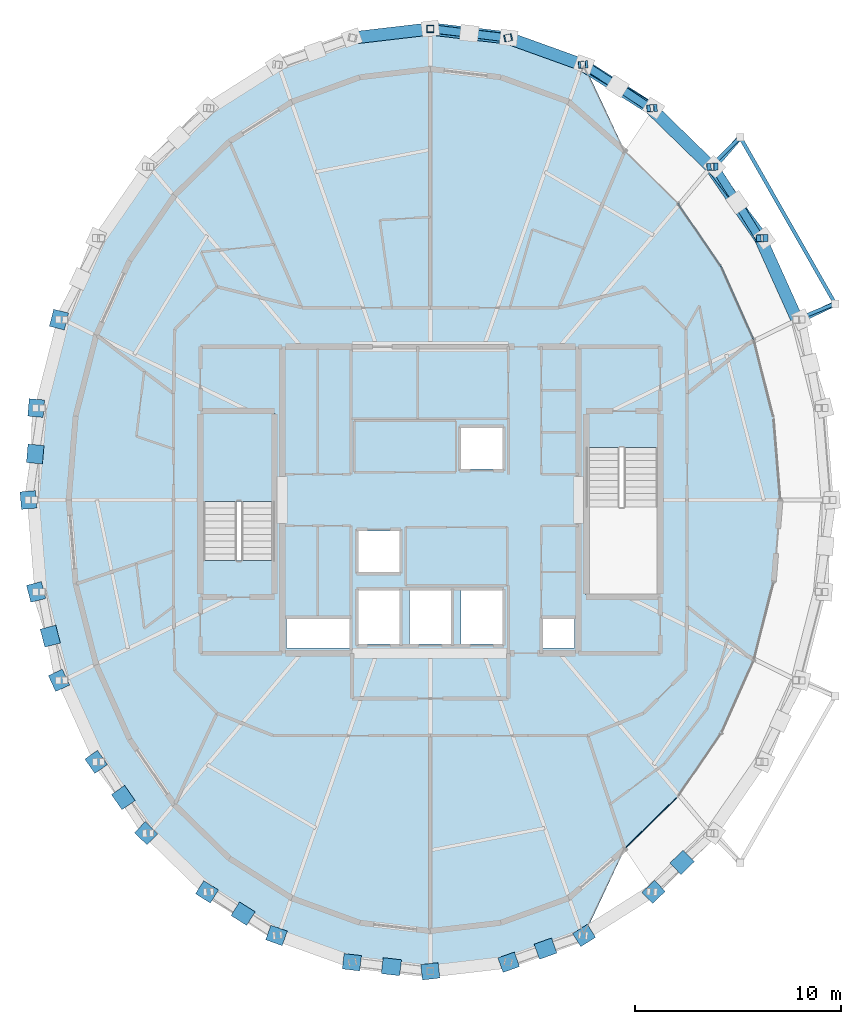
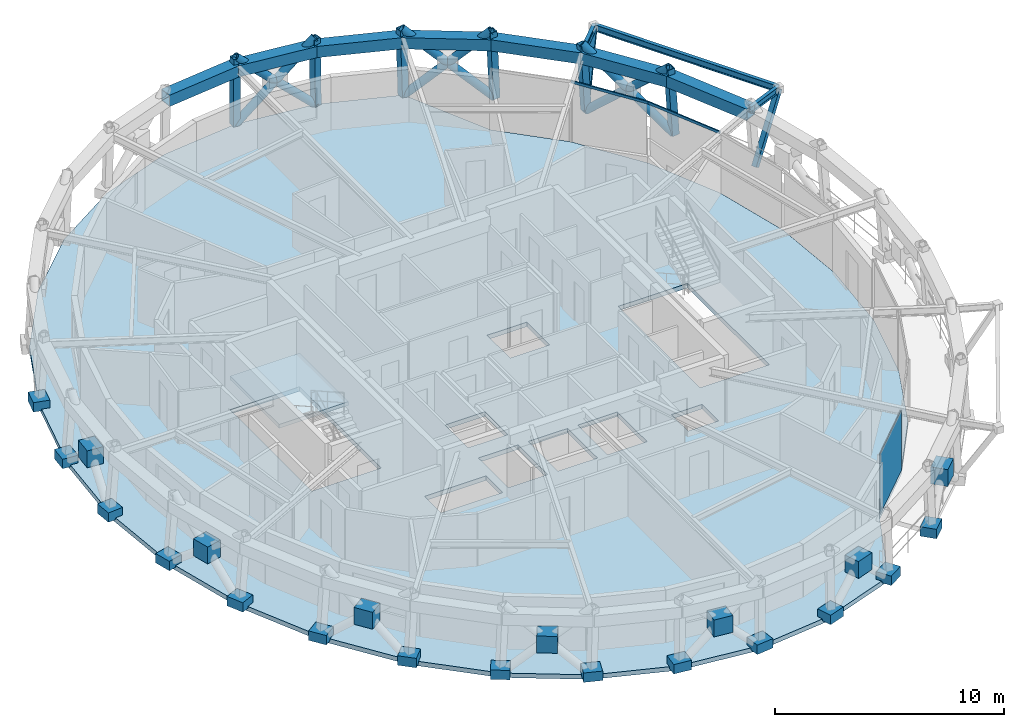
# One storey, part 8 of 14: 22 plates, 19 members, 10 beams, 2 slabs, 3 elements without a shape of their own.
"""IFC4 building model written with IfcOpenShell, lengths in metres."""

import ifcopenshell
import ifcopenshell.guid

model = None  # the IFC model being written
_history = None  # IfcOwnerHistory: only IFC2X3 demands one
_inside = {}  # id of a spatial element -> (the spatial element, [elements in it])
_under = {}  # id of a project, library or spatial element -> (it, [spatial elements below it])
_declared = {}  # id of a project -> (the project, [libraries it declares])
_typed = {}  # id of a type object -> (the type object, [elements of that type])
_made_of = {}  # id of a material, layer set ... -> (it, [elements and type objects made of it])


def new_model(schema):
    """Start an empty IFC model of exactly this schema.

    Asked for "IFC4X3", IfcOpenShell would pick the latest addendum, in which some entities
    have other attributes; the version numbers below select the first issue.
    IFC2X3 requires an IfcOwnerHistory on every rooted entity: one is made here for all.
    """
    global model, _history
    if schema == "IFC4X3":
        model = ifcopenshell.file(schema_version=(4, 3, 0, 0))
    else:
        model = ifcopenshell.file(schema=schema)
    _inside.clear()
    _under.clear()
    _declared.clear()
    _typed.clear()
    _made_of.clear()
    _history = None
    if model.schema == "IFC2X3":
        org = make("IfcOrganization", Name="unknown")
        user = make(
            "IfcPersonAndOrganization",
            ThePerson=make("IfcPerson", FamilyName="unknown"),
            TheOrganization=org,
        )
        app = make(
            "IfcApplication",
            ApplicationDeveloper=org,
            Version="unknown",
            ApplicationFullName="unknown",
            ApplicationIdentifier="unknown",
        )
        _history = make(
            "IfcOwnerHistory",
            OwningUser=user,
            OwningApplication=app,
            ChangeAction="ADDED",
            CreationDate=0,
        )
    return model


def make(cls, **values):
    """One entity of the class cls with the attributes given. An attribute that is None is left unset."""
    return model.create_entity(
        cls, **{name: value for name, value in values.items() if value is not None}
    )


def rooted(cls, **values):
    """An entity with a GlobalId (a new one), such as an element, a storey or a relation."""
    return make(cls, GlobalId=ifcopenshell.guid.new(), OwnerHistory=_history, **values)


def si_unit(unit_type, name, prefix=None):
    """IfcSIUnit, for example si_unit("LENGTHUNIT", "METRE", prefix="MILLI")."""
    return make("IfcSIUnit", UnitType=unit_type, Prefix=prefix, Name=name)


def assignment(units):
    """IfcUnitAssignment: the units of a project."""
    return None if units is None else make("IfcUnitAssignment", Units=units)


def point(xyz):
    """IfcCartesianPoint."""
    return None if xyz is None else make("IfcCartesianPoint", Coordinates=xyz)


def direction(xyz):
    """IfcDirection."""
    return None if xyz is None else make("IfcDirection", DirectionRatios=xyz)


def frame(location, z_axis=None, x_axis=None):
    """IfcAxis2Placement3D, a coordinate frame: its origin and axes. An axis left out is left unset."""
    return make(
        "IfcAxis2Placement3D",
        Location=point(location),
        Axis=direction(z_axis),
        RefDirection=direction(x_axis),
    )


def frame_2d(location, x_axis=None):
    """IfcAxis2Placement2D, a coordinate frame in the plane: its origin and x axis."""
    return make(
        "IfcAxis2Placement2D", Location=point(location), RefDirection=direction(x_axis)
    )


def origin():
    """The frame at (0, 0, 0) with its axes left unset."""
    return frame((0.0, 0.0, 0.0))


def origin_2d():
    """The frame at (0, 0) in the plane with its x axis left unset."""
    return frame_2d((0.0, 0.0))


def place(relative_to, where):
    """IfcLocalPlacement: puts the frame where relative to a parent placement (None: the world)."""
    return make(
        "IfcLocalPlacement", PlacementRelTo=relative_to, RelativePlacement=where
    )


def context(
    kind, dimensions, precision=None, world=None, true_north=None, identifier=None
):
    """IfcGeometricRepresentationContext, for example the 3D "Model" context."""
    return make(
        "IfcGeometricRepresentationContext",
        ContextIdentifier=identifier,
        ContextType=kind,
        CoordinateSpaceDimension=dimensions,
        Precision=precision,
        WorldCoordinateSystem=world,
        TrueNorth=true_north,
    )


def subcontext(parent, identifier, kind, view, scale=None):
    """IfcGeometricRepresentationSubContext, for example "Body" below "Model"."""
    return make(
        "IfcGeometricRepresentationSubContext",
        ContextIdentifier=identifier,
        ContextType=kind,
        ParentContext=parent,
        TargetScale=scale,
        TargetView=view,
    )


def project(units=None, contexts=None):
    """IfcProject with its units and contexts."""
    return rooted(
        "IfcProject",
        Name="project",
        RepresentationContexts=contexts,
        UnitsInContext=assignment(units),
    )


def spatial(cls, under=None, at=None, **own):
    """A site, building, storey or space (cls), placed at a placement, below another one or the project."""
    s = rooted(cls, ObjectPlacement=at, **own)
    if under is not None:
        _under.setdefault(under.id(), (under, []))[1].append(s)
    return s


def polyline(points):
    """IfcPolyline through the points."""
    return make("IfcPolyline", Points=[point(p) for p in points])


def profile(cls, at=None, kind="AREA", **sizes):
    """A parametric profile (cls). Its sizes go by their IFC names, for example OverallWidth=200.0."""
    return make(cls, ProfileType=kind, Position=at, **sizes)


def rectangle(**sizes):
    """IfcRectangleProfileDef."""
    return profile("IfcRectangleProfileDef", **sizes)


def hollow_rectangle(**sizes):
    """IfcRectangleHollowProfileDef."""
    return profile("IfcRectangleHollowProfileDef", **sizes)


def hollow_circle(**sizes):
    """IfcCircleHollowProfileDef."""
    return profile("IfcCircleHollowProfileDef", **sizes)


def i_section(**sizes):
    """IfcIShapeProfileDef."""
    return profile("IfcIShapeProfileDef", **sizes)


def outline(outer, holes=None, kind="AREA"):
    """IfcArbitraryClosedProfileDef: a profile drawn as a closed curve; with holes, ...WithVoids."""
    if holes is None:
        return make("IfcArbitraryClosedProfileDef", ProfileType=kind, OuterCurve=outer)
    return make(
        "IfcArbitraryProfileDefWithVoids",
        ProfileType=kind,
        OuterCurve=outer,
        InnerCurves=holes,
    )


def extrude(swept, where, along, depth):
    """IfcExtrudedAreaSolid: the profile swept, set in the frame where, extruded along a direction by depth."""
    return make(
        "IfcExtrudedAreaSolid",
        SweptArea=swept,
        Position=where,
        ExtrudedDirection=direction(along),
        Depth=depth,
    )


def shape(context_of_items, identifier, shape_type, items):
    """IfcShapeRepresentation: the items that make up one representation, for example the "Body"."""
    return make(
        "IfcShapeRepresentation",
        ContextOfItems=context_of_items,
        RepresentationIdentifier=identifier,
        RepresentationType=shape_type,
        Items=items,
    )


def material(Name=None, Category=None):
    """IfcMaterial."""
    return make("IfcMaterial", Name=Name, Category=Category)


def layer(
    of_material, thickness, ventilated=None, Name=None, Category=None, Priority=None
):
    """IfcMaterialLayer: one layer of a wall or slab, of a material (None: an air gap)."""
    return make(
        "IfcMaterialLayer",
        Material=of_material,
        LayerThickness=thickness,
        IsVentilated=ventilated,
        Name=Name,
        Category=Category,
        Priority=Priority,
    )


def layer_set(layers, Name=None):
    """IfcMaterialLayerSet."""
    return make("IfcMaterialLayerSet", MaterialLayers=layers, LayerSetName=Name)


def material_profile(
    of_material, cross_section, Name=None, Category=None, Priority=None
):
    """IfcMaterialProfile: a cross section and its material."""
    return make(
        "IfcMaterialProfile",
        Name=Name,
        Material=of_material,
        Profile=cross_section,
        Priority=Priority,
        Category=Category,
    )


def profile_set(profiles, Name=None, composite=None):
    """IfcMaterialProfileSet."""
    return make(
        "IfcMaterialProfileSet",
        Name=Name,
        MaterialProfiles=profiles,
        CompositeProfile=composite,
    )


def made_of(thing, what):
    """Note that an element or type object is made of a material, layer set ...; save() writes the relation."""
    if what is not None:
        _made_of.setdefault(what.id(), (what, []))[1].append(thing)
    return thing


def type_object(cls, material=None, **own):
    """A type object (cls), such as IfcWallType, which elements share."""
    return made_of(rooted(cls, **own), material)


def element(
    cls,
    number,
    at=None,
    inside=None,
    cuts=None,
    type_object=None,
    material=None,
    context=None,
    identifier="Body",
    shape_type=None,
    held_by="IfcProductDefinitionShape",
    body=None,
    shapes=None,
    **own,
):
    """One element of the class cls, such as IfcWall. Its Tag is "e" and its number.

    at: its placement. inside: the storey or other place that contains it. cuts: it is an
    opening in that element (IfcRelVoidsElement). A single representation is given by context,
    identifier, shape_type and body (its items); several are given by shapes. held_by: the class
    of the entity that holds the representations. save() writes the other relations.
    """
    e = rooted(cls, Tag="e%d" % number, ObjectPlacement=at, **own)
    if body is not None:
        shapes = [shape(context, identifier, shape_type, body)]
    if shapes is not None:
        e.Representation = make(held_by, Representations=shapes)
    if inside is not None:
        _inside.setdefault(inside.id(), (inside, []))[1].append(e)
    if cuts is not None:
        rooted(
            "IfcRelVoidsElement", RelatingBuildingElement=cuts, RelatedOpeningElement=e
        )
    if type_object is not None:
        _typed.setdefault(type_object.id(), (type_object, []))[1].append(e)
    return made_of(e, material)


def aggregate(whole, parts):
    """IfcRelAggregates: a whole, such as a stair, and the parts it consists of."""
    return rooted("IfcRelAggregates", RelatingObject=whole, RelatedObjects=parts)


def save(model, path):
    """Write the relations noted so far, then the file.

    IfcRelAggregates (storeys below a building ...), IfcRelContainedInSpatialStructure (elements
    in a storey), IfcRelDefinesByType, IfcRelAssociatesMaterial and IfcRelDeclares: one each for
    every whole, place, type object, material and project.
    """
    for whole, parts in _under.values():
        aggregate(whole, parts)
    for where, things in _inside.values():
        rooted(
            "IfcRelContainedInSpatialStructure",
            RelatedElements=things,
            RelatingStructure=where,
        )
    for kind, things in _typed.values():
        rooted("IfcRelDefinesByType", RelatedObjects=things, RelatingType=kind)
    for what, things in _made_of.values():
        rooted("IfcRelAssociatesMaterial", RelatedObjects=things, RelatingMaterial=what)
    for by, libraries in _declared.values():
        rooted("IfcRelDeclares", RelatingContext=by, RelatedDefinitions=libraries)
    model.write(path)


model = new_model("IFC4")

# Units and contexts
model_context = context("Model", 3, precision=1e-05, world=origin(), true_north=direction((0.0, 1.0)))
body_context = subcontext(model_context, "Body", "Model", "MODEL_VIEW")
ifc_project = project(units=[si_unit("LENGTHUNIT", "METRE"), si_unit("AREAUNIT", "SQUARE_METRE"), si_unit("VOLUMEUNIT", "CUBIC_METRE"), si_unit("PLANEANGLEUNIT", "RADIAN"), si_unit("MASSUNIT", "GRAM", prefix="KILO")], contexts=[model_context])

# Site, building, storey
site_placement = place(None, origin())
site = spatial("IfcSite", under=ifc_project, at=site_placement, CompositionType="ELEMENT")
building_placement = place(site_placement, origin())
building = spatial("IfcBuilding", under=site, at=building_placement, Name="Veldorina Hangang Commons", CompositionType="ELEMENT")
storey_placement = place(building_placement, frame((0.0, 0.0, 294.0)))
storey = spatial("IfcBuildingStorey", under=building, at=storey_placement, Name="L77", CompositionType="ELEMENT", Elevation=294.0)

# Beams
ifc_material_1 = material(Name="Steel SM460-TMC", Category="steel")
ifc_material_profile_1 = material_profile(ifc_material_1, hollow_rectangle(XDim=0.60009765625, YDim=0.60009765625, WallThickness=0.030029296875, at=origin_2d()), Name="BOX-600x600x30")
ifc_profile_set_1 = profile_set([ifc_material_profile_1], Name="Steel SM460-TMC")
beam_type_1 = type_object("IfcBeamType", Name="BM-BLT600", PredefinedType="BEAM", material=ifc_profile_set_1)
beam_1_placement = place(storey_placement, frame((49.82861328125, 32.764404296875, 3.0), z_axis=(-0.41066155676, 0.911787851312, 0.0), x_axis=(-0.911787851312, -0.41066155676, 0.0)))
element("IfcBeam", 1, at=beam_1_placement, inside=storey, type_object=beam_type_1, Name="L77 perimeter hoop ring beam 02", PredefinedType="BEAM", context=body_context, shape_type="SweptSolid", body=[
    extrude(hollow_rectangle(XDim=0.60009765625, YDim=0.60009765625, WallThickness=0.030029296875, at=origin_2d()), origin(), (0.0, 0.0, 1.0), 4.34228515625),
])
beam_2_placement = place(storey_placement, frame((48.04541015625, 36.7236328125, 3.0), z_axis=(-0.56877362676, 0.822494110315, 0.0), x_axis=(-0.822494110315, -0.56877362676, 0.0)))
element("IfcBeam", 2, at=beam_2_placement, inside=storey, type_object=beam_type_1, Name="L77 perimeter hoop ring beam 03", PredefinedType="BEAM", context=body_context, shape_type="SweptSolid", body=[
    extrude(hollow_rectangle(XDim=0.60009765625, YDim=0.60009765625, WallThickness=0.030029296875, at=origin_2d()), origin(), (0.0, 0.0, 1.0), 4.219482421875),
])
beam_3_placement = place(storey_placement, frame((45.6455078125, 40.194091796875, 3.0), z_axis=(-0.716345315759, 0.697745934126, 0.0), x_axis=(-0.697745934126, -0.716345315759, 0.0)))
element("IfcBeam", 3, at=beam_3_placement, inside=storey, type_object=beam_type_1, Name="L77 perimeter hoop ring beam 04", PredefinedType="BEAM", context=body_context, shape_type="SweptSolid", body=[
    extrude(hollow_rectangle(XDim=0.60009765625, YDim=0.60009765625, WallThickness=0.030029296875, at=origin_2d()), origin(), (0.0, 0.0, 1.0), 4.082275390625),
])
beam_4_placement = place(storey_placement, frame((42.72119140625, 43.04248046875, 3.0), z_axis=(-0.844441768272, 0.535647365341, 0.0), x_axis=(-0.535647365341, -0.844441768272, 0.0)))
element("IfcBeam", 4, at=beam_4_placement, inside=storey, type_object=beam_type_1, Name="L77 perimeter hoop ring beam 05", PredefinedType="BEAM", context=body_context, shape_type="SweptSolid", body=[
    extrude(hollow_rectangle(XDim=0.60009765625, YDim=0.60009765625, WallThickness=0.030029296875, at=origin_2d()), origin(), (0.0, 0.0, 1.0), 3.95068359375),
])
beam_5_placement = place(storey_placement, frame((39.385009765625, 45.15869140625, 3.0), z_axis=(-0.940889029654, 0.338714974392, 0.0), x_axis=(-0.338714974392, -0.940889029654, 0.0)))
element("IfcBeam", 5, at=beam_5_placement, inside=storey, type_object=beam_type_1, Name="L77 perimeter hoop ring beam 06", PredefinedType="BEAM", context=body_context, shape_type="SweptSolid", body=[
    extrude(hollow_rectangle(XDim=0.60009765625, YDim=0.60009765625, WallThickness=0.030029296875, at=origin_2d()), origin(), (0.0, 0.0, 1.0), 3.84765625),
])
for number, where, z_axis, x_axis, name in (
    (6, (35.764892578125, 46.4619140625, 3.0), (-0.99323431992, 0.116127454693, 0.0), (-0.116127454693, -0.99323431992, 0.0), "L77 perimeter hoop ring beam 07"),
    (7, (32.0, 46.902099609375, 3.0), (-0.99323431992, -0.116127454693, 0.0), (0.116127454693, -0.99323431992, 0.0), "L77 perimeter hoop ring beam 08"),
):
    element("IfcBeam", number, at=place(storey_placement, frame(where, z_axis=z_axis, x_axis=x_axis)), inside=storey, type_object=beam_type_1, Name=name, PredefinedType="BEAM", context=body_context, shape_type="SweptSolid", body=[
        extrude(hollow_rectangle(XDim=0.60009765625, YDim=0.60009765625, WallThickness=0.030029296875, at=origin_2d()), origin(), (0.0, 0.0, 1.0), 3.79052734375),
    ])
ifc_material_2 = material(Name="Steel SM355-TMC", Category="steel")
ifc_material_profile_2 = material_profile(ifc_material_2, i_section(OverallWidth=0.175048828125, OverallDepth=0.35009765625, WebThickness=0.007080078125, FlangeThickness=0.010986328125, FilletRadius=0.012939453125, at=origin_2d()), Name="H-350x175x7x11")
ifc_profile_set_2 = profile_set([ifc_material_profile_2], Name="Steel SM355-TMC")
beam_type_2 = type_object("IfcBeamType", Name="BM-FG350", PredefinedType="BEAM", material=ifc_profile_set_2)
for number, where, z_axis, x_axis, name in (
    (8, (49.78466796875, 32.763427734375, 3.125), (0.923857166685, 0.382737423785, 0.0), (-0.382737423785, 0.923857166685, 0.0), "L78 tree balcony 2 bracket beam A"),
    (9, (45.61181640625, 40.192626953125, 3.125), (0.707047232845, 0.707166324513, 0.0), (-0.707166324513, 0.707047232845, 0.0), "L78 tree balcony 2 bracket beam B"),
):
    element("IfcBeam", number, at=place(storey_placement, frame(where, z_axis=z_axis, x_axis=x_axis)), inside=storey, type_object=beam_type_2, Name=name, PredefinedType="BEAM", context=body_context, shape_type="SweptSolid", body=[
        extrude(i_section(OverallWidth=0.175048828125, OverallDepth=0.35009765625, WebThickness=0.007080078125, FlangeThickness=0.010986328125, FilletRadius=0.012939453125, at=origin_2d()), origin(), (0.0, 0.0, 1.0), 2.050048828125),
    ])
beam_6_placement = place(storey_placement, frame((51.6787109375, 33.548095703125, 3.125), z_axis=(-0.495503980878, 0.868605667109, 0.0), x_axis=(-0.868605667109, -0.495503980878, 0.0)))
element("IfcBeam", 10, at=beam_6_placement, inside=storey, type_object=beam_type_2, Name="L78 tree balcony 2 outer rim beam", PredefinedType="BEAM", context=body_context, shape_type="SweptSolid", body=[
    extrude(i_section(OverallWidth=0.175048828125, OverallDepth=0.35009765625, WebThickness=0.007080078125, FlangeThickness=0.010986328125, FilletRadius=0.012939453125, at=origin_2d()), origin(), (0.0, 0.0, 1.0), 9.318603515625),
])

# Curtain wall, members
ifc_material_3 = material(Name="Glass Low-E Selective", Category="glass")
ifc_layer_1 = layer(ifc_material_3, 0.179931640625)
ifc_layer_set_1 = layer_set([ifc_layer_1], Name="Glass Low-E Selective")
curtain_wall_type = type_object("IfcCurtainWallType", Name="CW-SYS-Z3", PredefinedType="NOTDEFINED", material=ifc_layer_set_1)
curtain_wall_1_placement = place(storey_placement, origin())
curtain_wall_1 = element("IfcCurtainWall", 11, at=curtain_wall_1_placement, inside=storey, type_object=curtain_wall_type, Name="L77 unitised curtain wall CW-L77-R1", PredefinedType="NOTDEFINED")
ifc_material_4 = material(Name="Aluminium Anodized AA6063-T6", Category="aluminium")
ifc_material_profile_3 = material_profile(ifc_material_4, hollow_rectangle(XDim=0.06005859375, YDim=0.139892578125, WallThickness=0.00341796875, at=origin_2d()), Name="ALU-RHS-140x60x3.5")
ifc_profile_set_3 = profile_set([ifc_material_profile_3], Name="Aluminium Anodized AA6063-T6")
member_type_1 = type_object("IfcMemberType", Name="CW-TRN-140", PredefinedType="USERDEFINED", material=ifc_profile_set_3)
member_1_placement = place(storey_placement, frame((47.720703125, 31.8037109375, 3.219970703125), z_axis=(-0.40736454219, 0.913265640308, 0.0), x_axis=(-0.913265640308, -0.40736454219, 0.0)))
member_1 = element("IfcMember", 12, at=member_1_placement, type_object=member_type_1, Name="CW-L77-R1 facet 3 transom 1", ObjectType="TRANSOM", PredefinedType="USERDEFINED", context=body_context, shape_type="SweptSolid", body=[
    extrude(hollow_rectangle(XDim=0.06005859375, YDim=0.139892578125, WallThickness=0.00341796875, at=origin_2d()), origin(), (0.0, 0.0, 1.0), 3.860107421875),
])
member_2_placement = place(storey_placement, frame((46.148193359375, 35.3291015625, 3.219970703125), z_axis=(-0.565006343914, 0.825086559906, 0.0), x_axis=(-0.825086559906, -0.565006343914, 0.0)))
member_2 = element("IfcMember", 13, at=member_2_placement, type_object=member_type_1, Name="CW-L77-R1 facet 4 transom 1", ObjectType="TRANSOM", PredefinedType="USERDEFINED", context=body_context, shape_type="SweptSolid", body=[
    extrude(hollow_rectangle(XDim=0.06005859375, YDim=0.139892578125, WallThickness=0.00341796875, at=origin_2d()), origin(), (0.0, 0.0, 1.0), 3.745361328125),
])
aggregate(curtain_wall_1, [member_1, member_2])

# Members
ifc_material_profile_4 = material_profile(ifc_material_2, hollow_circle(Radius=0.199951171875, WallThickness=0.02001953125, at=origin_2d()), Name="CHS-400x20")
ifc_profile_set_4 = profile_set([ifc_material_profile_4], Name="Steel SM355-TMC")
member_type_2 = type_object("IfcMemberType", Name="DG-CHS400", PredefinedType="BRACE", material=ifc_profile_set_4)
member_3_placement = place(storey_placement, frame((48.24365234375, 36.729248046875, 0.0), z_axis=(-0.466105560378, 0.613374163221, 0.637587439084), x_axis=(-0.796198964653, -0.605034882205, 0.0)))
element("IfcMember", 14, at=member_3_placement, inside=storey, type_object=member_type_2, Name="L77 continuous perimeter diagrid brace 03", PredefinedType="BRACE", context=body_context, shape_type="SweptSolid", body=[
    extrude(hollow_circle(Radius=0.199951171875, WallThickness=0.02001953125, at=origin_2d()), origin(), (0.0, 0.0, 1.0), 5.646484375),
])
member_4_placement = place(storey_placement, frame((45.81396484375, 40.201416015625, 0.0), z_axis=(0.405364228591, -0.633715845489, 0.658850566787), x_axis=(0.842400481881, 0.538851953811, 0.0)))
element("IfcMember", 15, at=member_4_placement, inside=storey, type_object=member_type_2, Name="L77 split perimeter diagrid lower brace 04", PredefinedType="BRACE", context=body_context, shape_type="SweptSolid", body=[
    extrude(hollow_circle(Radius=0.199951171875, WallThickness=0.02001953125, at=origin_2d()), origin(), (0.0, 0.0, 1.0), 2.7392578125),
])
member_5_placement = place(storey_placement, frame((46.92431640625, 38.465576171875, 1.8046875), z_axis=(0.396752863045, -0.639372164623, 0.658627664748), x_axis=(0.849699007903, 0.527268049448, 0.0)))
element("IfcMember", 16, at=member_5_placement, inside=storey, type_object=member_type_2, Name="L77 split perimeter diagrid upper brace 04", PredefinedType="BRACE", context=body_context, shape_type="SweptSolid", body=[
    extrude(hollow_circle(Radius=0.199951171875, WallThickness=0.02001953125, at=origin_2d()), origin(), (0.0, 0.0, 1.0), 2.72607421875),
])
member_6_placement = place(storey_placement, frame((42.853515625, 43.05078125, 0.0), z_axis=(-0.641392003948, 0.387386040194, 0.662229834072), x_axis=(-0.516996718392, -0.855987379096, 0.0)))
element("IfcMember", 17, at=member_6_placement, inside=storey, type_object=member_type_2, Name="L77 continuous perimeter diagrid brace 05", PredefinedType="BRACE", context=body_context, shape_type="SweptSolid", body=[
    extrude(hollow_circle(Radius=0.199951171875, WallThickness=0.02001953125, at=origin_2d()), origin(), (0.0, 0.0, 1.0), 5.436279296875),
])
member_7_placement = place(storey_placement, frame((39.47607421875, 45.16796875, 0.0), z_axis=(0.61257060409, -0.39911437105, 0.682249935014), x_axis=(0.545895207691, 0.837853461066, 0.0)))
element("IfcMember", 18, at=member_7_placement, inside=storey, type_object=member_type_2, Name="L77 split perimeter diagrid lower brace 06", PredefinedType="BRACE", context=body_context, shape_type="SweptSolid", body=[
    extrude(hollow_circle(Radius=0.199951171875, WallThickness=0.02001953125, at=origin_2d()), origin(), (0.0, 0.0, 1.0), 2.65234375),
])
member_8_placement = place(storey_placement, frame((41.100830078125, 44.109375, 1.8095703125), z_axis=(0.607261150256, -0.407166368669, 0.682238553305), x_axis=(0.556900369163, 0.830579303153, 0.0)))
element("IfcMember", 19, at=member_8_placement, inside=storey, type_object=member_type_2, Name="L77 split perimeter diagrid upper brace 06", PredefinedType="BRACE", context=body_context, shape_type="SweptSolid", body=[
    extrude(hollow_circle(Radius=0.199951171875, WallThickness=0.02001953125, at=origin_2d()), origin(), (0.0, 0.0, 1.0), 2.62451171875),
])
member_9_placement = place(storey_placement, frame((35.811279296875, 46.471923828125, 0.0), z_axis=(-0.724550072719, 0.081361621772, 0.684403008925), x_axis=(-0.111591255932, -0.993754190733, 0.0)))
element("IfcMember", 20, at=member_9_placement, inside=storey, type_object=member_type_2, Name="L77 continuous perimeter diagrid brace 07", PredefinedType="BRACE", context=body_context, shape_type="SweptSolid", body=[
    extrude(hollow_circle(Radius=0.199951171875, WallThickness=0.02001953125, at=origin_2d()), origin(), (0.0, 0.0, 1.0), 5.26025390625),
])
member_10_placement = place(storey_placement, frame((32.0, 46.912109375, 0.0), z_axis=(0.719356053015, -0.085405545073, 0.689371280125), x_axis=(0.117896988526, 0.993025830528, 0.0)))
element("IfcMember", 21, at=member_10_placement, inside=storey, type_object=member_type_2, Name="L77 split perimeter diagrid lower brace 08", PredefinedType="BRACE", context=body_context, shape_type="SweptSolid", body=[
    extrude(hollow_circle(Radius=0.199951171875, WallThickness=0.02001953125, at=origin_2d()), origin(), (0.0, 0.0, 1.0), 2.6298828125),
])
member_11_placement = place(storey_placement, frame((33.891845703125, 46.6875, 1.81298828125), z_axis=(0.719009066763, -0.087780514831, 0.689434944813), x_axis=(0.121185621228, 0.992629863145, 0.0)))
element("IfcMember", 22, at=member_11_placement, inside=storey, type_object=member_type_2, Name="L77 split perimeter diagrid upper brace 08", PredefinedType="BRACE", context=body_context, shape_type="SweptSolid", body=[
    extrude(hollow_circle(Radius=0.199951171875, WallThickness=0.02001953125, at=origin_2d()), origin(), (0.0, 0.0, 1.0), 2.592041015625),
])
ifc_material_profile_5 = material_profile(ifc_material_2, hollow_rectangle(XDim=0.25, YDim=0.25, WallThickness=0.011962890625, at=origin_2d()), Name="SHS-250x250x12")
ifc_profile_set_5 = profile_set([ifc_material_profile_5], Name="Steel SM355-TMC")
member_type_3 = type_object("IfcMemberType", Name="STR-SHS250", PredefinedType="STRUT", material=ifc_profile_set_5)
member_12_placement = place(storey_placement, frame((50.048828125, 32.76806640625, 0.0), z_axis=(0.451517265452, 0.216087127489, 0.865701168032), x_axis=(-0.431689749928, 0.902022150397, 0.0)))
element("IfcMember", 23, at=member_12_placement, inside=storey, type_object=member_type_3, Name="L78 tree balcony 2 raking knee strut A", PredefinedType="STRUT", context=body_context, shape_type="SweptSolid", body=[
    extrude(hollow_rectangle(XDim=0.25, YDim=0.25, WallThickness=0.011962890625, at=origin_2d()), origin(), (0.0, 0.0, 1.0), 3.60986328125),
])
member_13_placement = place(storey_placement, frame((45.81396484375, 40.201416015625, 0.0), z_axis=(0.34077006019, 0.393663122967, 0.853759399183), x_axis=(-0.756073591526, 0.654486611167, 0.0)))
element("IfcMember", 24, at=member_13_placement, inside=storey, type_object=member_type_3, Name="L78 tree balcony 2 raking knee strut B", PredefinedType="STRUT", context=body_context, shape_type="SweptSolid", body=[
    extrude(hollow_rectangle(XDim=0.25, YDim=0.25, WallThickness=0.011962890625, at=origin_2d()), origin(), (0.0, 0.0, 1.0), 3.660400390625),
])
ifc_material_profile_6 = material_profile(ifc_material_2, hollow_rectangle(XDim=0.35009765625, YDim=0.35009765625, WallThickness=0.01611328125, at=origin_2d()), Name="SHS-350x350x16")
ifc_profile_set_6 = profile_set([ifc_material_profile_6], Name="Steel SM355-TMC")
member_type_4 = type_object("IfcMemberType", Name="STR-SHS350", PredefinedType="STRUT", material=ifc_profile_set_6)
member_14_placement = place(storey_placement, frame((48.24365234375, 36.729248046875, 0.0), z_axis=(-0.065908083626, -0.001827020799, 0.997824025822), x_axis=(0.0277100945, -0.999616001604, 0.0)))
element("IfcMember", 25, at=member_14_placement, inside=storey, type_object=member_type_4, Name="L77 perimeter ring node post 03", PredefinedType="STRUT", context=body_context, shape_type="SweptSolid", body=[
    extrude(hollow_rectangle(XDim=0.35009765625, YDim=0.35009765625, WallThickness=0.01611328125, at=origin_2d()), origin(), (0.0, 0.0, 1.0), 3.60791015625),
])
member_15_placement = place(storey_placement, frame((45.81396484375, 40.201416015625, 0.0), z_axis=(-0.056062343417, -0.002437493192, 0.998424294715), x_axis=(0.043437224276, -0.999056158355, 0.0)))
element("IfcMember", 26, at=member_15_placement, inside=storey, type_object=member_type_4, Name="L77 perimeter ring node post 04", PredefinedType="STRUT", context=body_context, shape_type="SweptSolid", body=[
    extrude(hollow_rectangle(XDim=0.35009765625, YDim=0.35009765625, WallThickness=0.01611328125, at=origin_2d()), origin(), (0.0, 0.0, 1.0), 3.605712890625),
])
member_16_placement = place(storey_placement, frame((42.853515625, 43.05078125, 0.0), z_axis=(-0.044104436111, -0.002777698741, 0.999023064351), x_axis=(0.062855496422, -0.998022638305, 0.0)))
element("IfcMember", 27, at=member_16_placement, inside=storey, type_object=member_type_4, Name="L77 perimeter ring node post 05", PredefinedType="STRUT", context=body_context, shape_type="SweptSolid", body=[
    extrude(hollow_rectangle(XDim=0.35009765625, YDim=0.35009765625, WallThickness=0.01611328125, at=origin_2d()), origin(), (0.0, 0.0, 1.0), 3.603515625),
])
member_17_placement = place(storey_placement, frame((39.47607421875, 45.16796875, 0.0), z_axis=(-0.030366961309, -0.003118036206, 0.999533954156), x_axis=(0.102141549646, -0.994769874813, 0.0)))
element("IfcMember", 28, at=member_17_placement, inside=storey, type_object=member_type_4, Name="L77 perimeter ring node post 06", PredefinedType="STRUT", context=body_context, shape_type="SweptSolid", body=[
    extrude(hollow_rectangle(XDim=0.35009765625, YDim=0.35009765625, WallThickness=0.01611328125, at=origin_2d()), origin(), (0.0, 0.0, 1.0), 3.601806640625),
])
member_18_placement = place(storey_placement, frame((35.811279296875, 46.471923828125, 0.0), z_axis=(-0.015459886941, -0.003322519562, 0.999874968563), x_axis=(0.210114736821, -0.977676734596, 0.0)))
element("IfcMember", 29, at=member_18_placement, inside=storey, type_object=member_type_4, Name="L77 perimeter ring node post 07", PredefinedType="STRUT", context=body_context, shape_type="SweptSolid", body=[
    extrude(hollow_rectangle(XDim=0.35009765625, YDim=0.35009765625, WallThickness=0.01611328125, at=origin_2d()), origin(), (0.0, 0.0, 1.0), 3.6005859375),
])
member_19_placement = place(storey_placement, frame((32.0, 46.912109375, 0.0), z_axis=(0.0, -0.003390730542, 0.999994251457), x_axis=(1.0, 0.0, 0.0)))
element("IfcMember", 30, at=member_19_placement, inside=storey, type_object=member_type_4, Name="L77 perimeter ring node post 08", PredefinedType="STRUT", context=body_context, shape_type="SweptSolid", body=[
    extrude(hollow_rectangle(XDim=0.35009765625, YDim=0.35009765625, WallThickness=0.01611328125, at=origin_2d()), origin(), (0.0, 0.0, 1.0), 3.60009765625),
])

# Curtain wall, plate
curtain_wall_2_placement = place(storey_placement, origin())
curtain_wall_2 = element("IfcCurtainWall", 31, at=curtain_wall_2_placement, inside=storey, type_object=curtain_wall_type, Name="L77 unitised curtain wall CW-L77-R2", PredefinedType="NOTDEFINED")
ifc_material_5 = material(Name="Glass Low-E Triple IGU", Category="glass")
ifc_layer_2 = layer(ifc_material_5, 0.0400390625)
ifc_layer_set_2 = layer_set([ifc_layer_2], Name="Glass Low-E Triple IGU")
plate_type_1 = type_object("IfcPlateType", Name="CW-PNL-VIS", PredefinedType="CURTAIN_PANEL", material=ifc_layer_set_2)
plate_1_placement = place(storey_placement, frame((42.742919921875, 8.3125, 0.014892578125), z_axis=(0.0, 0.0, 1.0), x_axis=(0.712956790403, 0.70120796845, 0.0)))
plate_1 = element("IfcPlate", 32, at=plate_1_placement, type_object=plate_type_1, Name="CW-L77-R2 facet 1 glazed vision panel", PredefinedType="CURTAIN_PANEL", context=body_context, shape_type="SweptSolid", body=[
    extrude(rectangle(XDim=3.4365234375, YDim=0.0400390625, at=origin_2d()), origin(), (0.0, 0.0, 1.0), 3.22998046875),
])
aggregate(curtain_wall_2, [plate_1])

# Plates
ifc_layer_3 = layer(ifc_material_1, 0.035888671875)
ifc_layer_set_3 = layer_set([ifc_layer_3], Name="Steel SM460-TMC")
plate_type_2 = type_object("IfcPlateType", Name="PL-STAR-36", PredefinedType="USERDEFINED", material=ifc_layer_set_3)
for number, where, z_axis, x_axis, name in (
    (33, (13.951171875, 32.76806640625, -0.090087890625), (0.0, 0.0, 1.0), (-0.25039690138, -0.968143270275, 0.0), "L77 diagrid star-node gusset plate 14"),
    (34, (12.83935546875, 28.469970703125, -0.090087890625), (0.0, 0.0, 1.0), (-0.083695235401, -0.996491398644, 0.0), "L77 diagrid star-node gusset plate 15"),
):
    element("IfcPlate", number, at=place(storey_placement, frame(where, z_axis=z_axis, x_axis=x_axis)), inside=storey, type_object=plate_type_2, Name=name, ObjectType="GUSSET PLATE", PredefinedType="USERDEFINED", context=body_context, shape_type="SweptSolid", body=[
        extrude(rectangle(XDim=0.85009765625, YDim=0.75, at=origin_2d()), origin(), (0.0, 0.0, 1.0), 0.5),
    ])
plate_2_placement = place(storey_placement, frame((12.794677734375, 26.234375, 1.3505859375), z_axis=(0.0, 0.0, 1.0), x_axis=(-0.083695235401, -0.996491398644, 0.0)))
element("IfcPlate", 35, at=plate_2_placement, inside=storey, type_object=plate_type_2, Name="L77 diagrid X-crossing star-node gusset plate 15", ObjectType="GUSSET PLATE", PredefinedType="USERDEFINED", context=body_context, shape_type="SweptSolid", body=[
    extrude(rectangle(XDim=0.89990234375, YDim=0.780029296875, at=origin_2d()), origin(), (0.0, 0.0, 1.0), 0.89990234375),
])
for number, where, z_axis, x_axis, name in (
    (36, (12.464111328125, 24.0, -0.090087890625), (0.0, 0.0, 1.0), (0.083695235401, -0.996491398644, 0.0), "L77 diagrid star-node gusset plate 16"),
    (37, (12.83935546875, 19.530029296875, -0.090087890625), (0.0, 0.0, 1.0), (0.25039690138, -0.968143270275, 0.0), "L77 diagrid star-node gusset plate 17"),
):
    element("IfcPlate", number, at=place(storey_placement, frame(where, z_axis=z_axis, x_axis=x_axis)), inside=storey, type_object=plate_type_2, Name=name, ObjectType="GUSSET PLATE", PredefinedType="USERDEFINED", context=body_context, shape_type="SweptSolid", body=[
        extrude(rectangle(XDim=0.85009765625, YDim=0.75, at=origin_2d()), origin(), (0.0, 0.0, 1.0), 0.5),
    ])
plate_3_placement = place(storey_placement, frame((13.52783203125, 17.3818359375, 1.351318359375), z_axis=(0.0, 0.0, 1.0), x_axis=(0.25039690138, -0.968143270275, 0.0)))
element("IfcPlate", 38, at=plate_3_placement, inside=storey, type_object=plate_type_2, Name="L77 diagrid X-crossing star-node gusset plate 17", ObjectType="GUSSET PLATE", PredefinedType="USERDEFINED", context=body_context, shape_type="SweptSolid", body=[
    extrude(rectangle(XDim=0.89990234375, YDim=0.780029296875, at=origin_2d()), origin(), (0.0, 0.0, 1.0), 0.89990234375),
])
for number, where, z_axis, x_axis, name in (
    (39, (13.951171875, 15.23193359375, -0.090087890625), (0.0, 0.0, 1.0), (0.414709124413, -0.909954032975, 0.0), "L77 diagrid star-node gusset plate 18"),
    (40, (15.75634765625, 11.270751953125, -0.090087890625), (0.0, 0.0, 1.0), (0.573333363803, -0.819322191784, 0.0), "L77 diagrid star-node gusset plate 19"),
):
    element("IfcPlate", number, at=place(storey_placement, frame(where, z_axis=z_axis, x_axis=x_axis)), inside=storey, type_object=plate_type_2, Name=name, ObjectType="GUSSET PLATE", PredefinedType="USERDEFINED", context=body_context, shape_type="SweptSolid", body=[
        extrude(rectangle(XDim=0.85009765625, YDim=0.75, at=origin_2d()), origin(), (0.0, 0.0, 1.0), 0.5),
    ])
plate_4_placement = place(storey_placement, frame((17.07568359375, 9.534423828125, 1.354736328125), z_axis=(0.0, 0.0, 1.0), x_axis=(0.573333363803, -0.819322191784, 0.0)))
element("IfcPlate", 41, at=plate_4_placement, inside=storey, type_object=plate_type_2, Name="L77 diagrid X-crossing star-node gusset plate 19", ObjectType="GUSSET PLATE", PredefinedType="USERDEFINED", context=body_context, shape_type="SweptSolid", body=[
    extrude(rectangle(XDim=0.89990234375, YDim=0.780029296875, at=origin_2d()), origin(), (0.0, 0.0, 1.0), 0.89990234375),
])
for number, where, z_axis, x_axis, name in (
    (42, (18.18603515625, 7.798583984375, -0.090087890625), (0.0, 0.0, 1.0), (0.720490598212, -0.693464705582, 0.0), "L77 diagrid star-node gusset plate 20"),
    (43, (21.146484375, 4.94921875, -0.090087890625), (0.0, 0.0, 1.0), (0.847279553224, -0.531147209997, 0.0), "L77 diagrid star-node gusset plate 21"),
):
    element("IfcPlate", number, at=place(storey_placement, frame(where, z_axis=z_axis, x_axis=x_axis)), inside=storey, type_object=plate_type_2, Name=name, ObjectType="GUSSET PLATE", PredefinedType="USERDEFINED", context=body_context, shape_type="SweptSolid", body=[
        extrude(rectangle(XDim=0.85009765625, YDim=0.75, at=origin_2d()), origin(), (0.0, 0.0, 1.0), 0.5),
    ])
plate_5_placement = place(storey_placement, frame((22.899169921875, 3.890625, 1.359619140625), z_axis=(0.0, 0.0, 1.0), x_axis=(0.847279553224, -0.531147209997, 0.0)))
element("IfcPlate", 44, at=plate_5_placement, inside=storey, type_object=plate_type_2, Name="L77 diagrid X-crossing star-node gusset plate 21", ObjectType="GUSSET PLATE", PredefinedType="USERDEFINED", context=body_context, shape_type="SweptSolid", body=[
    extrude(rectangle(XDim=0.89990234375, YDim=0.780029296875, at=origin_2d()), origin(), (0.0, 0.0, 1.0), 0.89990234375),
])
for number, where, z_axis, x_axis, name in (
    (45, (24.52392578125, 2.83203125, -0.090087890625), (0.0, 0.0, 1.0), (0.942145241518, -0.335204928193, 0.0), "L77 diagrid star-node gusset plate 22"),
    (46, (28.188720703125, 1.528076171875, -0.090087890625), (0.0, 0.0, 1.0), (0.993396816194, -0.114729096468, 0.0), "L77 diagrid star-node gusset plate 23"),
):
    element("IfcPlate", number, at=place(storey_placement, frame(where, z_axis=z_axis, x_axis=x_axis)), inside=storey, type_object=plate_type_2, Name=name, ObjectType="GUSSET PLATE", PredefinedType="USERDEFINED", context=body_context, shape_type="SweptSolid", body=[
        extrude(rectangle(XDim=0.85009765625, YDim=0.75, at=origin_2d()), origin(), (0.0, 0.0, 1.0), 0.5),
    ])
plate_6_placement = place(storey_placement, frame((30.108154296875, 1.3125, 1.363037109375), z_axis=(0.0, 0.0, 1.0), x_axis=(0.993396816194, -0.114729096468, 0.0)))
element("IfcPlate", 47, at=plate_6_placement, inside=storey, type_object=plate_type_2, Name="L77 diagrid X-crossing star-node gusset plate 23", ObjectType="GUSSET PLATE", PredefinedType="USERDEFINED", context=body_context, shape_type="SweptSolid", body=[
    extrude(rectangle(XDim=0.89990234375, YDim=0.780029296875, at=origin_2d()), origin(), (0.0, 0.0, 1.0), 0.89990234375),
])
for number, where, z_axis, x_axis, name in (
    (48, (32.0, 1.087890625, -0.090087890625), (0.0, 0.0, 1.0), (0.993396816194, 0.114729096468, 0.0), "L77 diagrid star-node gusset plate 24"),
    (49, (35.811279296875, 1.528076171875, -0.090087890625), (0.0, 0.0, 1.0), (0.942145241518, 0.335204928193, 0.0), "L77 diagrid star-node gusset plate 25"),
):
    element("IfcPlate", number, at=place(storey_placement, frame(where, z_axis=z_axis, x_axis=x_axis)), inside=storey, type_object=plate_type_2, Name=name, ObjectType="GUSSET PLATE", PredefinedType="USERDEFINED", context=body_context, shape_type="SweptSolid", body=[
        extrude(rectangle(XDim=0.85009765625, YDim=0.75, at=origin_2d()), origin(), (0.0, 0.0, 1.0), 0.5),
    ])
plate_7_placement = place(storey_placement, frame((37.6005859375, 2.18994140625, 1.36181640625), z_axis=(0.0, 0.0, 1.0), x_axis=(0.942145241518, 0.335204928193, 0.0)))
element("IfcPlate", 50, at=plate_7_placement, inside=storey, type_object=plate_type_2, Name="L77 diagrid X-crossing star-node gusset plate 25", ObjectType="GUSSET PLATE", PredefinedType="USERDEFINED", context=body_context, shape_type="SweptSolid", body=[
    extrude(rectangle(XDim=0.89990234375, YDim=0.780029296875, at=origin_2d()), origin(), (0.0, 0.0, 1.0), 0.89990234375),
])
for number, where, z_axis, x_axis, name in (
    (51, (39.47607421875, 2.83203125, -0.090087890625), (0.0, 0.0, 1.0), (0.847279553224, 0.531147209997, 0.0), "L77 diagrid star-node gusset plate 26"),
    (52, (42.853515625, 4.94921875, -0.090087890625), (0.0, 0.0, 1.0), (0.720490598212, 0.693464705582, 0.0), "L77 diagrid star-node gusset plate 27"),
):
    element("IfcPlate", number, at=place(storey_placement, frame(where, z_axis=z_axis, x_axis=x_axis)), inside=storey, type_object=plate_type_2, Name=name, ObjectType="GUSSET PLATE", PredefinedType="USERDEFINED", context=body_context, shape_type="SweptSolid", body=[
        extrude(rectangle(XDim=0.85009765625, YDim=0.75, at=origin_2d()), origin(), (0.0, 0.0, 1.0), 0.5),
    ])
plate_8_placement = place(storey_placement, frame((44.238037109375, 6.3837890625, 1.357177734375), z_axis=(0.0, 0.0, 1.0), x_axis=(0.720490598212, 0.693464705582, 0.0)))
element("IfcPlate", 53, at=plate_8_placement, inside=storey, type_object=plate_type_2, Name="L77 diagrid X-crossing star-node gusset plate 27", ObjectType="GUSSET PLATE", PredefinedType="USERDEFINED", context=body_context, shape_type="SweptSolid", body=[
    extrude(rectangle(XDim=0.89990234375, YDim=0.780029296875, at=origin_2d()), origin(), (0.0, 0.0, 1.0), 0.89990234375),
])

# Slab
ifc_material_6 = material(Name="Concrete C40/50", Category="concrete")
ifc_layer_4 = layer(ifc_material_6, 0.239990234375)
ifc_layer_set_4 = layer_set([ifc_layer_4], Name="Concrete C40/50")
slab_type_1 = type_object("IfcSlabType", Name="SL-FLR-240", PredefinedType="FLOOR", material=ifc_layer_set_4)
slab_1_placement = place(storey_placement, frame((0.0, 0.0, -0.239990234375)))
element("IfcSlab", 54, at=slab_1_placement, inside=storey, type_object=slab_type_1, Name="L77 tower structural floor slab", PredefinedType="FLOOR", context=body_context, shape_type="SweptSolid", body=[
    extrude(outline(polyline([(49.01611328125, 24.0), (48.68896484375, 27.978271484375), (47.720703125, 31.8037109375), (46.148193359375, 35.3291015625), (44.031982421875, 38.41943359375), (41.45361328125, 40.955322265625), (39.47607421875, 45.16796875), (35.811279296875, 46.471923828125), (32.0, 46.912109375), (28.188720703125, 46.471923828125), (24.52392578125, 45.16796875), (21.146484375, 43.05078125), (18.18603515625, 40.201416015625), (15.75634765625, 36.729248046875), (13.951171875, 32.76806640625), (12.83935546875, 28.469970703125), (12.464111328125, 24.0), (12.83935546875, 19.530029296875), (13.951171875, 15.23193359375), (15.75634765625, 11.270751953125), (18.18603515625, 7.798583984375), (21.146484375, 4.94921875), (24.52392578125, 2.83203125), (28.188720703125, 1.528076171875), (32.0, 1.087890625), (35.811279296875, 1.528076171875), (39.47607421875, 2.83203125), (41.45361328125, 7.044677734375), (44.031982421875, 9.58056640625), (46.148193359375, 12.6708984375), (47.720703125, 16.1962890625), (48.68896484375, 20.021728515625), (49.01611328125, 24.0)]), holes=[polyline([(20.949951171875, 21.05810546875), (20.949951171875, 28.199951171875), (24.449951171875, 28.199951171875), (24.449951171875, 21.05810546875), (20.949951171875, 21.05810546875)]), polyline([(43.050048828125, 26.5419921875), (43.050048828125, 19.39990234375), (39.550048828125, 19.39990234375), (39.550048828125, 26.5419921875), (43.050048828125, 26.5419921875)]), polyline([(33.5, 27.5), (35.5, 27.5), (35.5, 25.5), (33.5, 25.5), (33.5, 27.5)]), polyline([(28.5, 22.5), (30.5, 22.5), (30.5, 20.5), (28.5, 20.5), (28.5, 22.5)]), polyline([(28.5, 19.60009765625), (30.5, 19.60009765625), (30.5, 17.0), (28.5, 17.0), (28.5, 19.60009765625)]), polyline([(31.0, 19.60009765625), (33.0, 19.60009765625), (33.0, 17.0), (31.0, 17.0), (31.0, 19.60009765625)]), polyline([(33.5, 19.60009765625), (35.5, 19.60009765625), (35.5, 17.0), (33.5, 17.0), (33.5, 19.60009765625)]), polyline([(25.0, 18.25), (28.10009765625, 18.25), (28.10009765625, 16.800048828125), (25.0, 16.800048828125), (25.0, 18.25)]), polyline([(37.449951171875, 18.25), (39.0, 18.25), (39.0, 16.800048828125), (37.449951171875, 16.800048828125), (37.449951171875, 18.25)])]), origin(), (0.0, 0.0, 1.0), 0.239990234375),
])

# Stair, slab
stair_type = type_object("IfcStairType", Name="STR-DOG-1650-20R", PredefinedType="HALF_TURN_STAIR", material=ifc_material_6)
stair_placement = place(storey_placement, origin())
stair = element("IfcStair", 55, at=stair_placement, inside=storey, type_object=stair_type, Name="L77 Exit stair ST-1", PredefinedType="HALF_TURN_STAIR")
ifc_layer_5 = layer(ifc_material_6, 0.199951171875)
ifc_layer_set_5 = layer_set([ifc_layer_5], Name="Concrete C40/50")
slab_type_2 = type_object("IfcSlabType", Name="SL-LND-200", PredefinedType="LANDING", material=ifc_layer_set_5)
slab_2_placement = place(storey_placement, frame((0.0, 0.0, 1.60009765625)))
slab_2 = element("IfcSlab", 56, at=slab_2_placement, type_object=slab_type_2, Name="ST-1 landing 1", PredefinedType="LANDING", context=body_context, shape_type="SweptSolid", body=[
    extrude(outline(polyline([(24.449951171875, 23.929931640625), (24.449951171875, 28.199951171875), (20.949951171875, 28.199951171875), (20.949951171875, 23.929931640625), (24.449951171875, 23.929931640625)])), origin(), (0.0, 0.0, 1.0), 0.199951171875),
])
aggregate(stair, [slab_2])

save(model, "model.ifc")
